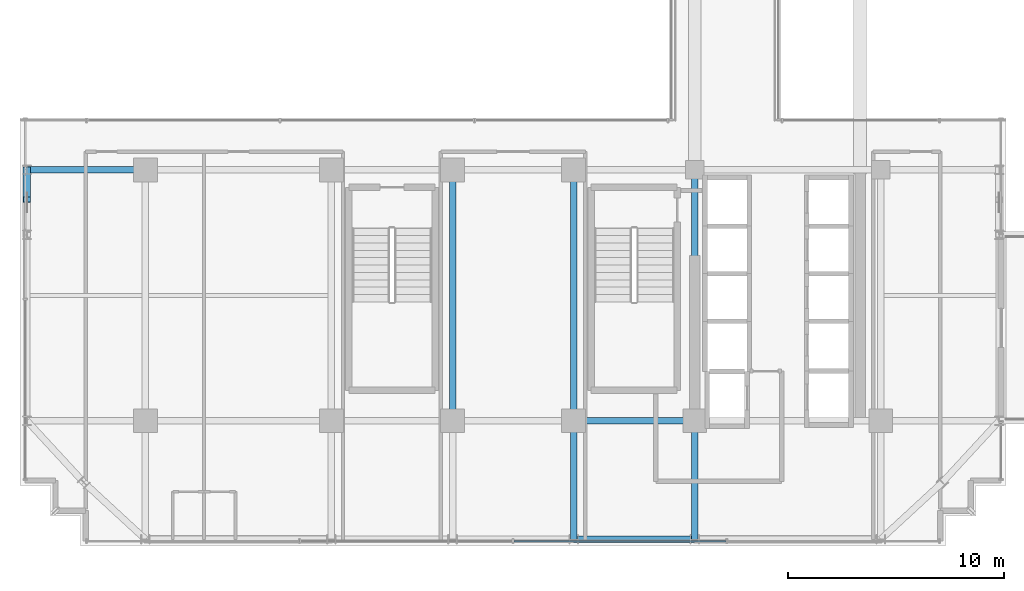
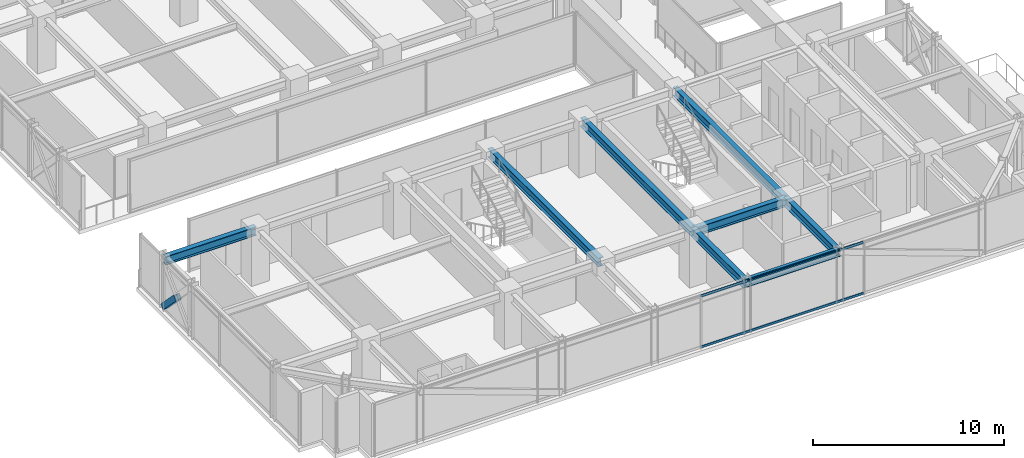
# One storey, part 7 of 41: 8 beams, 3 members, 1 element without a shape of its own.
"""IFC4 building model written with IfcOpenShell, lengths in metres."""

from ifc_helpers import new_model, si_unit, direction, frame, origin, origin_2d, place, context, subcontext, project, spatial, hollow_rectangle, i_section, extrude, source, transform, mapped, material, material_profile, profile_set, type_object, element, aggregate, save


model = new_model("IFC4")

# Units and contexts
model_context = context("Model", 3, precision=1e-05, world=origin(), true_north=direction((0.0, 1.0)))
body_context = subcontext(model_context, "Body", "Model", "MODEL_VIEW")
ifc_project = project(units=[si_unit("LENGTHUNIT", "METRE"), si_unit("AREAUNIT", "SQUARE_METRE"), si_unit("VOLUMEUNIT", "CUBIC_METRE"), si_unit("PLANEANGLEUNIT", "RADIAN"), si_unit("MASSUNIT", "GRAM", prefix="KILO")], contexts=[model_context])

# Site, building, storey
site_placement = place(None, origin())
site = spatial("IfcSite", under=ifc_project, at=site_placement, CompositionType="ELEMENT")
building_placement = place(site_placement, origin())
building = spatial("IfcBuilding", under=site, at=building_placement, Name="Nahalor Promenade Grand Hotel", CompositionType="ELEMENT")
storey_placement = place(building_placement, frame((0.0, 0.0, 159.949951171875)))
storey = spatial("IfcBuildingStorey", under=building, at=storey_placement, Name="L40", CompositionType="ELEMENT", Elevation=159.949951171875)

# Beams
ifc_material_1 = material(Name="Steel S355JR", Category="steel")
ifc_material_profile_1 = material_profile(ifc_material_1, i_section(OverallWidth=0.3, OverallDepth=0.55, WebThickness=0.015, FlangeThickness=0.029, at=origin_2d()), Name="HEB 550")
ifc_profile_set_1 = profile_set([ifc_material_profile_1], Name="Steel S355JR")
beam_type_1 = type_object("IfcBeamType", Name="Beam-Girder-HEB550", PredefinedType="BEAM", material=ifc_profile_set_1)
shared_shape_1 = source(origin(), body_context, "Body", "SweptSolid", [
    extrude(i_section(OverallWidth=0.3, OverallDepth=0.55, WebThickness=0.015, FlangeThickness=0.029, at=origin_2d()), origin(), (0.0, 0.0, 1.0), 5.599853515625),
])
beam_1_placement = place(storey_placement, frame((2.800048828125, -17.0, 3.114990234375), z_axis=(1.0, 0.0, 0.0), x_axis=(0.0, 1.0, 0.0)))
element("IfcBeam", 1, at=beam_1_placement, inside=storey, type_object=beam_type_1, Name="BM-L40-GX-0-4", PredefinedType="BEAM", context=body_context, shape_type="MappedRepresentation", body=[
    mapped(shared_shape_1, transform((0.0, 0.0, 0.0), scale=1.0)),
])
shared_shape_2 = source(origin(), body_context, "Body", "SweptSolid", [
    extrude(i_section(OverallWidth=0.3, OverallDepth=0.55, WebThickness=0.015, FlangeThickness=0.029, at=origin_2d()), origin(), (0.0, 0.0, 1.0), 11.60009765625),
])
for number, where, z_axis, x_axis, name in (
    (2, (-2.800048828125, -17.0, 3.114990234375), (0.0, 1.0, 0.0), (-1.0, 0.0, 0.0), "BM-L40-GY-2-1"),
    (3, (2.800048828125, -17.0, 3.114990234375), (0.0, 1.0, 0.0), (-1.0, 0.0, 0.0), "BM-L40-GY-3-1"),
    (4, (8.39990234375, -17.0, 3.114990234375), (0.0, 1.0, 0.0), (-1.0, 0.0, 0.0), "BM-L40-GY-4-1"),
):
    element("IfcBeam", number, at=place(storey_placement, frame(where, z_axis=z_axis, x_axis=x_axis)), inside=storey, type_object=beam_type_1, Name=name, PredefinedType="BEAM", context=body_context, shape_type="MappedRepresentation", body=[
        mapped(shared_shape_2, transform((0.0, 0.0, 0.0), scale=1.0)),
    ])
shared_shape_3 = source(origin(), body_context, "Body", "SweptSolid", [
    extrude(i_section(OverallWidth=0.3, OverallDepth=0.55, WebThickness=0.015, FlangeThickness=0.029, at=origin_2d()), origin(), (0.0, 0.0, 1.0), 5.47998046875),
])
for number, where, z_axis, x_axis, name in (
    (5, (-22.47998046875, -5.39990234375, 3.114990234375), (1.0, 0.0, 0.0), (0.0, 1.0, 0.0), "BM-L40-GX-1-0"),
    (6, (2.800048828125, -22.47998046875, 3.114990234375), (0.0, 1.0, 0.0), (-1.0, 0.0, 0.0), "BM-L40-GY-3-0"),
    (7, (8.39990234375, -22.47998046875, 3.114990234375), (0.0, 1.0, 0.0), (-1.0, 0.0, 0.0), "BM-L40-GY-4-0"),
):
    element("IfcBeam", number, at=place(storey_placement, frame(where, z_axis=z_axis, x_axis=x_axis)), inside=storey, type_object=beam_type_1, Name=name, PredefinedType="BEAM", context=body_context, shape_type="MappedRepresentation", body=[
        mapped(shared_shape_3, transform((0.0, 0.0, 0.0), scale=1.0)),
    ])
ifc_material_profile_2 = material_profile(ifc_material_1, i_section(OverallWidth=0.3, OverallDepth=0.45, WebThickness=0.014, FlangeThickness=0.026, at=origin_2d()), Name="HEB 450")
ifc_profile_set_2 = profile_set([ifc_material_profile_2], Name="Steel S355JR")
beam_type_2 = type_object("IfcBeamType", Name="Beam-Spandrel-HEB450", PredefinedType="SPANDREL", material=ifc_profile_set_2)
shared_shape_4 = source(origin(), body_context, "Body", "SweptSolid", [
    extrude(i_section(OverallWidth=0.3, OverallDepth=0.45, WebThickness=0.014, FlangeThickness=0.026, at=origin_2d()), origin(), (0.0, 0.0, 1.0), 5.599853515625),
])
beam_2_placement = place(storey_placement, frame((2.800048828125, -22.47998046875, 3.1650390625), z_axis=(1.0, 0.0, 0.0), x_axis=(0.0, 1.0, 0.0)))
element("IfcBeam", 8, at=beam_2_placement, inside=storey, type_object=beam_type_2, Name="BM-L40-SP-S-3", PredefinedType="SPANDREL", context=body_context, shape_type="MappedRepresentation", body=[
    mapped(shared_shape_4, transform((0.0, 0.0, 0.0), scale=1.0)),
])

# Member
ifc_material_profile_3 = material_profile(ifc_material_1, hollow_rectangle(XDim=0.35, YDim=0.35, WallThickness=0.02, at=origin_2d()), Name="SHS 350x350x20")
ifc_profile_set_3 = profile_set([ifc_material_profile_3], Name="Steel S355JR")
member_type_1 = type_object("IfcMemberType", Name="Mem-VoidBrace-SHS350", PredefinedType="BRACE", material=ifc_profile_set_3)
shared_shape_5 = source(origin(), body_context, "Body", "SweptSolid", [
    extrude(hollow_rectangle(XDim=0.35, YDim=0.35, WallThickness=0.02, at=origin_2d()), origin(), (0.0, 0.0, 1.0), 1.96630859375),
])
member_1_placement = place(storey_placement, frame((-22.47998046875, -5.39990234375, 0.150146484375), z_axis=(0.0, -0.696663391113, 0.71739815966), x_axis=(1.0, 0.0, 0.0)))
element("IfcMember", 9, at=member_1_placement, inside=storey, type_object=member_type_1, Name="EXO-L40-VX2-W0A", PredefinedType="BRACE", context=body_context, shape_type="MappedRepresentation", body=[
    mapped(shared_shape_5, transform((0.0, 0.0, 0.0), scale=1.0)),
])

# Curtain wall, members
ifc_material_2 = material(Name="Anodised Bronze Aluminium EN AW-6063 T6", Category="aluminium")
curtain_wall_type = type_object("IfcCurtainWallType", Name="CW3 Elliptical-Void Collar Unitised Curtain Wall", PredefinedType="USERDEFINED", material=ifc_material_2)
curtain_wall_placement = place(storey_placement, origin())
curtain_wall = element("IfcCurtainWall", 10, at=curtain_wall_placement, inside=storey, type_object=curtain_wall_type, Name="L40 Curtain Wall CW-L40-S-1", ObjectType="UNITISED_CURTAIN_WALL", PredefinedType="USERDEFINED")
ifc_material_profile_4 = material_profile(ifc_material_2, hollow_rectangle(XDim=0.07, YDim=0.14, WallThickness=0.004, at=origin_2d()), Name="CWT 70x140x4")
ifc_profile_set_4 = profile_set([ifc_material_profile_4], Name="Anodised Bronze Aluminium EN AW-6063 T6")
member_type_2 = type_object("IfcMemberType", Name="CWT3 Void Collar Transom 70x140", PredefinedType="USERDEFINED", material=ifc_profile_set_4)
shared_shape_6 = source(origin(), body_context, "Body", "SweptSolid", [
    extrude(hollow_rectangle(XDim=0.07, YDim=0.14, WallThickness=0.004, at=origin_2d()), origin(), (0.0, 0.0, 1.0), 9.81005859375),
])
member_2_placement = place(storey_placement, frame((0.034912109375, -22.56005859375, 0.070068359375), z_axis=(1.0, 0.0, 0.0), x_axis=(0.0, 1.0, 0.0)))
member_2 = element("IfcMember", 11, at=member_2_placement, type_object=member_type_2, Name="CW-L40-S-1 Transom 2-0", ObjectType="TRANSOM", PredefinedType="USERDEFINED", context=body_context, shape_type="MappedRepresentation", body=[
    mapped(shared_shape_6, transform((0.0, 0.0, 0.0), scale=1.0)),
])
member_3_placement = place(storey_placement, frame((0.034912109375, -22.56005859375, 3.320068359375), z_axis=(1.0, 0.0, 0.0), x_axis=(0.0, 1.0, 0.0)))
member_3 = element("IfcMember", 12, at=member_3_placement, type_object=member_type_2, Name="CW-L40-S-1 Transom 2-1", ObjectType="TRANSOM", PredefinedType="USERDEFINED", context=body_context, shape_type="MappedRepresentation", body=[
    mapped(shared_shape_6, transform((0.0, 0.0, 0.0), scale=1.0)),
])
aggregate(curtain_wall, [member_2, member_3])

save(model, "model.ifc")
